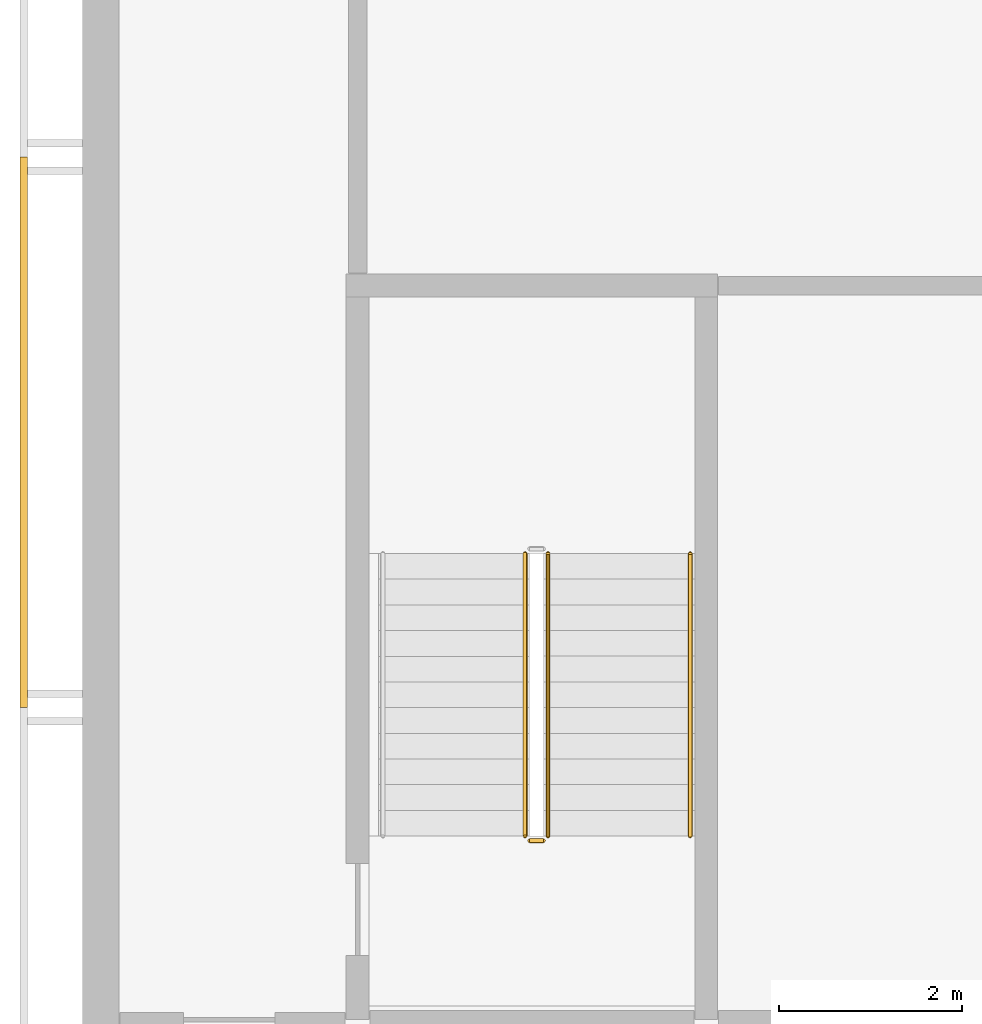
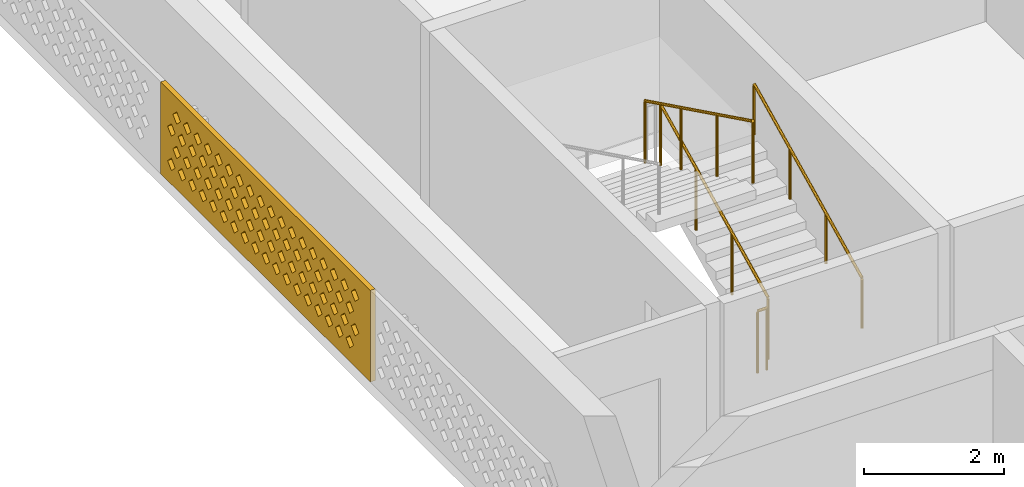
# One storey, part 8 of 16: 4 railings, 1 covering.
"""IFC4 building model written with IfcOpenShell, lengths in metres."""

from ifc_helpers import new_model, si_unit, direction, frame, origin, origin_2d, place, context, subcontext, project, spatial, polyline, circle, outline, extrude, source, transform, mapped, material, material_profile, profile_set, type_object, element, save


model = new_model("IFC4")

# Units and contexts
model_context = context("Model", 3, precision=1e-05, world=origin(), true_north=direction((0.0, 1.0)))
body_context = subcontext(model_context, "Body", "Model", "MODEL_VIEW")
ifc_project = project(units=[si_unit("LENGTHUNIT", "METRE"), si_unit("AREAUNIT", "SQUARE_METRE"), si_unit("VOLUMEUNIT", "CUBIC_METRE"), si_unit("PLANEANGLEUNIT", "RADIAN"), si_unit("MASSUNIT", "GRAM", prefix="KILO")], contexts=[model_context])

# Site, building, storey
site_placement = place(None, origin())
site = spatial("IfcSite", under=ifc_project, at=site_placement, CompositionType="ELEMENT")
building_placement = place(site_placement, origin())
building = spatial("IfcBuilding", under=site, at=building_placement, Name="Poui Terraces", CompositionType="ELEMENT")
storey_placement = place(building_placement, frame((0.0, 0.0, 282.300048828125)))
storey = spatial("IfcBuildingStorey", under=building, at=storey_placement, Name="L78 CROWN", CompositionType="ELEMENT", Elevation=282.300048828125)

# Railings
ifc_material_1 = material(Name="Galvanised steel balustrade", Category="steel")
railing_type_1 = type_object("IfcRailingType", Name="STAIR GUARD 1100", PredefinedType="GUARDRAIL", material=ifc_material_1)
railing_1_placement = place(storey_placement, frame((22.875, 16.60009765625, 0.137451171875)))
element("IfcRailing", 1, at=railing_1_placement, inside=storey, type_object=railing_type_1, Name="L78 CROWN ST-W stair guard 1", PredefinedType="GUARDRAIL", context=body_context, shape_type="SweptSolid", body=[
    extrude(circle(Radius=0.02392578125, at=origin_2d()), frame((0.0, 0.0, 1.076171875), z_axis=(0.0, 0.897606190399, 0.440798283751), x_axis=(-1.0, 0.0, 0.0)), (0.0, 0.0, 1.0), 3.43115234375),
    extrude(circle(Radius=0.02099609375, at=origin_2d()), origin(), (0.0, 0.0, 1.0), 1.052001953125),
    extrude(circle(Radius=0.02099609375, at=origin_2d()), frame((0.0, 1.026611328125, 0.504150390625)), (0.0, 0.0, 1.0), 1.052001953125),
    extrude(circle(Radius=0.02099609375, at=origin_2d()), frame((0.0, 2.05322265625, 1.00830078125)), (0.0, 0.0, 1.0), 1.052001953125),
    extrude(circle(Radius=0.02099609375, at=origin_2d()), frame((0.0, 3.079833984375, 1.512451171875)), (0.0, 0.0, 1.0), 1.052001953125),
])
railing_2_placement = place(storey_placement, frame((22.625, 19.679931640625, 1.787353515625)))
element("IfcRailing", 2, at=railing_2_placement, inside=storey, type_object=railing_type_1, Name="L78 CROWN ST-W stair guard 3", PredefinedType="GUARDRAIL", context=body_context, shape_type="SweptSolid", body=[
    extrude(circle(Radius=0.02392578125, at=origin_2d()), frame((0.0, 0.0, 1.076171875), z_axis=(0.0, -0.897578036475, 0.440855609512), x_axis=(1.0, 0.0, 0.0)), (0.0, 0.0, 1.0), 3.43115234375),
    extrude(circle(Radius=0.02099609375, at=origin_2d()), origin(), (0.0, 0.0, 1.0), 1.052001953125),
    extrude(circle(Radius=0.02099609375, at=origin_2d()), frame((0.0, -1.026611328125, 0.504150390625)), (0.0, 0.0, 1.0), 1.052001953125),
    extrude(circle(Radius=0.02099609375, at=origin_2d()), frame((0.0, -2.05322265625, 1.008544921875)), (0.0, 0.0, 1.0), 1.052001953125),
    extrude(circle(Radius=0.02099609375, at=origin_2d()), frame((0.0, -3.079833984375, 1.5126953125)), (0.0, 0.0, 1.0), 1.052001953125),
])
railing_3_placement = place(storey_placement, frame((22.824951171875, 16.550048828125, 0.0)))
element("IfcRailing", 3, at=railing_3_placement, inside=storey, type_object=railing_type_1, Name="L78 CROWN ST-W stair guard 4", PredefinedType="GUARDRAIL", context=body_context, shape_type="SweptSolid", body=[
    extrude(circle(Radius=0.02392578125, at=origin_2d()), frame((0.0, 0.0, 1.076171875), z_axis=(-1.0, 0.0, 0.0), x_axis=(0.0, -1.0, 0.0)), (0.0, 0.0, 1.0), 0.14990234375),
    extrude(circle(Radius=0.02099609375, at=origin_2d()), origin(), (0.0, 0.0, 1.0), 1.052001953125),
    extrude(circle(Radius=0.02099609375, at=origin_2d()), frame((-0.14990234375, 0.0, 0.0)), (0.0, 0.0, 1.0), 1.052001953125),
])
ifc_material_2 = material(Name="Stainless steel handrail", Category="steel")
railing_type_2 = type_object("IfcRailingType", Name="STAIR HANDRAIL 900", PredefinedType="HANDRAIL", material=ifc_material_2)
railing_4_placement = place(storey_placement, frame((24.425048828125, 16.60009765625, 0.137451171875)))
element("IfcRailing", 4, at=railing_4_placement, inside=storey, type_object=railing_type_2, Name="L78 CROWN ST-W stair handrail 1", PredefinedType="HANDRAIL", context=body_context, shape_type="SweptSolid", body=[
    extrude(circle(Radius=0.02392578125, at=origin_2d()), frame((0.0, 0.0, 0.8759765625), z_axis=(0.0, 0.897606190399, 0.440798283751), x_axis=(-1.0, 0.0, 0.0)), (0.0, 0.0, 1.0), 3.43115234375),
    extrude(circle(Radius=0.02099609375, at=origin_2d()), origin(), (0.0, 0.0, 1.0), 0.851806640625),
    extrude(circle(Radius=0.02099609375, at=origin_2d()), frame((0.0, 1.026611328125, 0.504150390625)), (0.0, 0.0, 1.0), 0.851806640625),
    extrude(circle(Radius=0.02099609375, at=origin_2d()), frame((0.0, 2.05322265625, 1.00830078125)), (0.0, 0.0, 1.0), 0.851806640625),
    extrude(circle(Radius=0.02099609375, at=origin_2d()), frame((0.0, 3.079833984375, 1.512451171875)), (0.0, 0.0, 1.0), 0.851806640625),
])

# Covering
ifc_material_3 = material(Name="Terracotta screen", Category="masonry")
ifc_material_profile = material_profile(ifc_material_3, outline(polyline([(-3.0, -0.800048828125), (3.0, -0.800048828125), (3.0, 0.800048828125), (-3.0, 0.800048828125), (-3.0, -0.800048828125)]), holes=[polyline([(-2.800048828125, -0.449951171875), (-2.68994140625, -0.56005859375), (-2.580078125, -0.449951171875), (-2.68994140625, -0.340087890625), (-2.800048828125, -0.449951171875)]), polyline([(-2.5, -0.449951171875), (-2.389892578125, -0.56005859375), (-2.280029296875, -0.449951171875), (-2.389892578125, -0.340087890625), (-2.5, -0.449951171875)]), polyline([(-2.199951171875, -0.449951171875), (-2.090087890625, -0.56005859375), (-1.97998046875, -0.449951171875), (-2.090087890625, -0.340087890625), (-2.199951171875, -0.449951171875)]), polyline([(-1.89990234375, -0.449951171875), (-1.7900390625, -0.56005859375), (-1.679931640625, -0.449951171875), (-1.7900390625, -0.340087890625), (-1.89990234375, -0.449951171875)]), polyline([(-1.60009765625, -0.449951171875), (-1.489990234375, -0.56005859375), (-1.3798828125, -0.449951171875), (-1.489990234375, -0.340087890625), (-1.60009765625, -0.449951171875)]), polyline([(-1.300048828125, -0.449951171875), (-1.18994140625, -0.56005859375), (-1.080078125, -0.449951171875), (-1.18994140625, -0.340087890625), (-1.300048828125, -0.449951171875)]), polyline([(-1.0, -0.449951171875), (-0.889892578125, -0.56005859375), (-0.780029296875, -0.449951171875), (-0.889892578125, -0.340087890625), (-1.0, -0.449951171875)]), polyline([(-0.699951171875, -0.449951171875), (-0.590087890625, -0.56005859375), (-0.47998046875, -0.449951171875), (-0.590087890625, -0.340087890625), (-0.699951171875, -0.449951171875)]), polyline([(-0.39990234375, -0.449951171875), (-0.2900390625, -0.56005859375), (-0.179931640625, -0.449951171875), (-0.2900390625, -0.340087890625), (-0.39990234375, -0.449951171875)]), polyline([(-0.10009765625, -0.449951171875), (0.010009765625, -0.56005859375), (0.1201171875, -0.449951171875), (0.010009765625, -0.340087890625), (-0.10009765625, -0.449951171875)]), polyline([(0.199951171875, -0.449951171875), (0.31005859375, -0.56005859375), (0.419921875, -0.449951171875), (0.31005859375, -0.340087890625), (0.199951171875, -0.449951171875)]), polyline([(0.5, -0.449951171875), (0.610107421875, -0.56005859375), (0.719970703125, -0.449951171875), (0.610107421875, -0.340087890625), (0.5, -0.449951171875)]), polyline([(0.800048828125, -0.449951171875), (0.909912109375, -0.56005859375), (1.02001953125, -0.449951171875), (0.909912109375, -0.340087890625), (0.800048828125, -0.449951171875)]), polyline([(1.10009765625, -0.449951171875), (1.2099609375, -0.56005859375), (1.320068359375, -0.449951171875), (1.2099609375, -0.340087890625), (1.10009765625, -0.449951171875)]), polyline([(1.39990234375, -0.449951171875), (1.510009765625, -0.56005859375), (1.6201171875, -0.449951171875), (1.510009765625, -0.340087890625), (1.39990234375, -0.449951171875)]), polyline([(1.699951171875, -0.449951171875), (1.81005859375, -0.56005859375), (1.919921875, -0.449951171875), (1.81005859375, -0.340087890625), (1.699951171875, -0.449951171875)]), polyline([(2.0, -0.449951171875), (2.110107421875, -0.56005859375), (2.219970703125, -0.449951171875), (2.110107421875, -0.340087890625), (2.0, -0.449951171875)]), polyline([(2.300048828125, -0.449951171875), (2.409912109375, -0.56005859375), (2.52001953125, -0.449951171875), (2.409912109375, -0.340087890625), (2.300048828125, -0.449951171875)]), polyline([(-2.64990234375, -0.14990234375), (-2.5400390625, -0.260009765625), (-2.429931640625, -0.14990234375), (-2.5400390625, -0.0400390625), (-2.64990234375, -0.14990234375)]), polyline([(-2.35009765625, -0.14990234375), (-2.239990234375, -0.260009765625), (-2.1298828125, -0.14990234375), (-2.239990234375, -0.0400390625), (-2.35009765625, -0.14990234375)]), polyline([(-2.050048828125, -0.14990234375), (-1.93994140625, -0.260009765625), (-1.830078125, -0.14990234375), (-1.93994140625, -0.0400390625), (-2.050048828125, -0.14990234375)]), polyline([(-1.75, -0.14990234375), (-1.639892578125, -0.260009765625), (-1.530029296875, -0.14990234375), (-1.639892578125, -0.0400390625), (-1.75, -0.14990234375)]), polyline([(-1.449951171875, -0.14990234375), (-1.340087890625, -0.260009765625), (-1.22998046875, -0.14990234375), (-1.340087890625, -0.0400390625), (-1.449951171875, -0.14990234375)]), polyline([(-1.14990234375, -0.14990234375), (-1.0400390625, -0.260009765625), (-0.929931640625, -0.14990234375), (-1.0400390625, -0.0400390625), (-1.14990234375, -0.14990234375)]), polyline([(-0.85009765625, -0.14990234375), (-0.739990234375, -0.260009765625), (-0.6298828125, -0.14990234375), (-0.739990234375, -0.0400390625), (-0.85009765625, -0.14990234375)]), polyline([(-0.550048828125, -0.14990234375), (-0.43994140625, -0.260009765625), (-0.330078125, -0.14990234375), (-0.43994140625, -0.0400390625), (-0.550048828125, -0.14990234375)]), polyline([(-0.25, -0.14990234375), (-0.139892578125, -0.260009765625), (-0.030029296875, -0.14990234375), (-0.139892578125, -0.0400390625), (-0.25, -0.14990234375)]), polyline([(0.050048828125, -0.14990234375), (0.159912109375, -0.260009765625), (0.27001953125, -0.14990234375), (0.159912109375, -0.0400390625), (0.050048828125, -0.14990234375)]), polyline([(0.35009765625, -0.14990234375), (0.4599609375, -0.260009765625), (0.570068359375, -0.14990234375), (0.4599609375, -0.0400390625), (0.35009765625, -0.14990234375)]), polyline([(0.64990234375, -0.14990234375), (0.760009765625, -0.260009765625), (0.8701171875, -0.14990234375), (0.760009765625, -0.0400390625), (0.64990234375, -0.14990234375)]), polyline([(0.949951171875, -0.14990234375), (1.06005859375, -0.260009765625), (1.169921875, -0.14990234375), (1.06005859375, -0.0400390625), (0.949951171875, -0.14990234375)]), polyline([(1.25, -0.14990234375), (1.360107421875, -0.260009765625), (1.469970703125, -0.14990234375), (1.360107421875, -0.0400390625), (1.25, -0.14990234375)]), polyline([(1.550048828125, -0.14990234375), (1.659912109375, -0.260009765625), (1.77001953125, -0.14990234375), (1.659912109375, -0.0400390625), (1.550048828125, -0.14990234375)]), polyline([(1.85009765625, -0.14990234375), (1.9599609375, -0.260009765625), (2.070068359375, -0.14990234375), (1.9599609375, -0.0400390625), (1.85009765625, -0.14990234375)]), polyline([(2.14990234375, -0.14990234375), (2.260009765625, -0.260009765625), (2.3701171875, -0.14990234375), (2.260009765625, -0.0400390625), (2.14990234375, -0.14990234375)]), polyline([(2.449951171875, -0.14990234375), (2.56005859375, -0.260009765625), (2.669921875, -0.14990234375), (2.56005859375, -0.0400390625), (2.449951171875, -0.14990234375)]), polyline([(-2.800048828125, 0.14990234375), (-2.68994140625, 0.0400390625), (-2.580078125, 0.14990234375), (-2.68994140625, 0.260009765625), (-2.800048828125, 0.14990234375)]), polyline([(-2.5, 0.14990234375), (-2.389892578125, 0.0400390625), (-2.280029296875, 0.14990234375), (-2.389892578125, 0.260009765625), (-2.5, 0.14990234375)]), polyline([(-2.199951171875, 0.14990234375), (-2.090087890625, 0.0400390625), (-1.97998046875, 0.14990234375), (-2.090087890625, 0.260009765625), (-2.199951171875, 0.14990234375)]), polyline([(-1.89990234375, 0.14990234375), (-1.7900390625, 0.0400390625), (-1.679931640625, 0.14990234375), (-1.7900390625, 0.260009765625), (-1.89990234375, 0.14990234375)]), polyline([(-1.60009765625, 0.14990234375), (-1.489990234375, 0.0400390625), (-1.3798828125, 0.14990234375), (-1.489990234375, 0.260009765625), (-1.60009765625, 0.14990234375)]), polyline([(-1.300048828125, 0.14990234375), (-1.18994140625, 0.0400390625), (-1.080078125, 0.14990234375), (-1.18994140625, 0.260009765625), (-1.300048828125, 0.14990234375)]), polyline([(-1.0, 0.14990234375), (-0.889892578125, 0.0400390625), (-0.780029296875, 0.14990234375), (-0.889892578125, 0.260009765625), (-1.0, 0.14990234375)]), polyline([(-0.699951171875, 0.14990234375), (-0.590087890625, 0.0400390625), (-0.47998046875, 0.14990234375), (-0.590087890625, 0.260009765625), (-0.699951171875, 0.14990234375)]), polyline([(-0.39990234375, 0.14990234375), (-0.2900390625, 0.0400390625), (-0.179931640625, 0.14990234375), (-0.2900390625, 0.260009765625), (-0.39990234375, 0.14990234375)]), polyline([(-0.10009765625, 0.14990234375), (0.010009765625, 0.0400390625), (0.1201171875, 0.14990234375), (0.010009765625, 0.260009765625), (-0.10009765625, 0.14990234375)]), polyline([(0.199951171875, 0.14990234375), (0.31005859375, 0.0400390625), (0.419921875, 0.14990234375), (0.31005859375, 0.260009765625), (0.199951171875, 0.14990234375)]), polyline([(0.5, 0.14990234375), (0.610107421875, 0.0400390625), (0.719970703125, 0.14990234375), (0.610107421875, 0.260009765625), (0.5, 0.14990234375)]), polyline([(0.800048828125, 0.14990234375), (0.909912109375, 0.0400390625), (1.02001953125, 0.14990234375), (0.909912109375, 0.260009765625), (0.800048828125, 0.14990234375)]), polyline([(1.10009765625, 0.14990234375), (1.2099609375, 0.0400390625), (1.320068359375, 0.14990234375), (1.2099609375, 0.260009765625), (1.10009765625, 0.14990234375)]), polyline([(1.39990234375, 0.14990234375), (1.510009765625, 0.0400390625), (1.6201171875, 0.14990234375), (1.510009765625, 0.260009765625), (1.39990234375, 0.14990234375)]), polyline([(1.699951171875, 0.14990234375), (1.81005859375, 0.0400390625), (1.919921875, 0.14990234375), (1.81005859375, 0.260009765625), (1.699951171875, 0.14990234375)]), polyline([(2.0, 0.14990234375), (2.110107421875, 0.0400390625), (2.219970703125, 0.14990234375), (2.110107421875, 0.260009765625), (2.0, 0.14990234375)]), polyline([(2.300048828125, 0.14990234375), (2.409912109375, 0.0400390625), (2.52001953125, 0.14990234375), (2.409912109375, 0.260009765625), (2.300048828125, 0.14990234375)]), polyline([(-2.64990234375, 0.449951171875), (-2.5400390625, 0.340087890625), (-2.429931640625, 0.449951171875), (-2.5400390625, 0.56005859375), (-2.64990234375, 0.449951171875)]), polyline([(-2.35009765625, 0.449951171875), (-2.239990234375, 0.340087890625), (-2.1298828125, 0.449951171875), (-2.239990234375, 0.56005859375), (-2.35009765625, 0.449951171875)]), polyline([(-2.050048828125, 0.449951171875), (-1.93994140625, 0.340087890625), (-1.830078125, 0.449951171875), (-1.93994140625, 0.56005859375), (-2.050048828125, 0.449951171875)]), polyline([(-1.75, 0.449951171875), (-1.639892578125, 0.340087890625), (-1.530029296875, 0.449951171875), (-1.639892578125, 0.56005859375), (-1.75, 0.449951171875)]), polyline([(-1.449951171875, 0.449951171875), (-1.340087890625, 0.340087890625), (-1.22998046875, 0.449951171875), (-1.340087890625, 0.56005859375), (-1.449951171875, 0.449951171875)]), polyline([(-1.14990234375, 0.449951171875), (-1.0400390625, 0.340087890625), (-0.929931640625, 0.449951171875), (-1.0400390625, 0.56005859375), (-1.14990234375, 0.449951171875)]), polyline([(-0.85009765625, 0.449951171875), (-0.739990234375, 0.340087890625), (-0.6298828125, 0.449951171875), (-0.739990234375, 0.56005859375), (-0.85009765625, 0.449951171875)]), polyline([(-0.550048828125, 0.449951171875), (-0.43994140625, 0.340087890625), (-0.330078125, 0.449951171875), (-0.43994140625, 0.56005859375), (-0.550048828125, 0.449951171875)]), polyline([(-0.25, 0.449951171875), (-0.139892578125, 0.340087890625), (-0.030029296875, 0.449951171875), (-0.139892578125, 0.56005859375), (-0.25, 0.449951171875)]), polyline([(0.050048828125, 0.449951171875), (0.159912109375, 0.340087890625), (0.27001953125, 0.449951171875), (0.159912109375, 0.56005859375), (0.050048828125, 0.449951171875)]), polyline([(0.35009765625, 0.449951171875), (0.4599609375, 0.340087890625), (0.570068359375, 0.449951171875), (0.4599609375, 0.56005859375), (0.35009765625, 0.449951171875)]), polyline([(0.64990234375, 0.449951171875), (0.760009765625, 0.340087890625), (0.8701171875, 0.449951171875), (0.760009765625, 0.56005859375), (0.64990234375, 0.449951171875)]), polyline([(0.949951171875, 0.449951171875), (1.06005859375, 0.340087890625), (1.169921875, 0.449951171875), (1.06005859375, 0.56005859375), (0.949951171875, 0.449951171875)]), polyline([(1.25, 0.449951171875), (1.360107421875, 0.340087890625), (1.469970703125, 0.449951171875), (1.360107421875, 0.56005859375), (1.25, 0.449951171875)]), polyline([(1.550048828125, 0.449951171875), (1.659912109375, 0.340087890625), (1.77001953125, 0.449951171875), (1.659912109375, 0.56005859375), (1.550048828125, 0.449951171875)]), polyline([(1.85009765625, 0.449951171875), (1.9599609375, 0.340087890625), (2.070068359375, 0.449951171875), (1.9599609375, 0.56005859375), (1.85009765625, 0.449951171875)]), polyline([(2.14990234375, 0.449951171875), (2.260009765625, 0.340087890625), (2.3701171875, 0.449951171875), (2.260009765625, 0.56005859375), (2.14990234375, 0.449951171875)]), polyline([(2.449951171875, 0.449951171875), (2.56005859375, 0.340087890625), (2.669921875, 0.449951171875), (2.56005859375, 0.56005859375), (2.449951171875, 0.449951171875)])]), Name="TERRACOTTA SOLAR SCREEN 6000X1600")
ifc_profile_set = profile_set([ifc_material_profile], Name="Terracotta screen")
covering_type = type_object("IfcCoveringType", Name="TERRACOTTA SOLAR SCREEN 6000X1600", PredefinedType="CLADDING", material=ifc_profile_set)
shared_shape = source(origin(), body_context, "Body", "SweptSolid", [
    extrude(outline(polyline([(-3.0, -0.800048828125), (3.0, -0.800048828125), (3.0, 0.800048828125), (-3.0, 0.800048828125), (-3.0, -0.800048828125)]), holes=[polyline([(-2.800048828125, -0.449951171875), (-2.68994140625, -0.56005859375), (-2.580078125, -0.449951171875), (-2.68994140625, -0.340087890625), (-2.800048828125, -0.449951171875)]), polyline([(-2.5, -0.449951171875), (-2.389892578125, -0.56005859375), (-2.280029296875, -0.449951171875), (-2.389892578125, -0.340087890625), (-2.5, -0.449951171875)]), polyline([(-2.199951171875, -0.449951171875), (-2.090087890625, -0.56005859375), (-1.97998046875, -0.449951171875), (-2.090087890625, -0.340087890625), (-2.199951171875, -0.449951171875)]), polyline([(-1.89990234375, -0.449951171875), (-1.7900390625, -0.56005859375), (-1.679931640625, -0.449951171875), (-1.7900390625, -0.340087890625), (-1.89990234375, -0.449951171875)]), polyline([(-1.60009765625, -0.449951171875), (-1.489990234375, -0.56005859375), (-1.3798828125, -0.449951171875), (-1.489990234375, -0.340087890625), (-1.60009765625, -0.449951171875)]), polyline([(-1.300048828125, -0.449951171875), (-1.18994140625, -0.56005859375), (-1.080078125, -0.449951171875), (-1.18994140625, -0.340087890625), (-1.300048828125, -0.449951171875)]), polyline([(-1.0, -0.449951171875), (-0.889892578125, -0.56005859375), (-0.780029296875, -0.449951171875), (-0.889892578125, -0.340087890625), (-1.0, -0.449951171875)]), polyline([(-0.699951171875, -0.449951171875), (-0.590087890625, -0.56005859375), (-0.47998046875, -0.449951171875), (-0.590087890625, -0.340087890625), (-0.699951171875, -0.449951171875)]), polyline([(-0.39990234375, -0.449951171875), (-0.2900390625, -0.56005859375), (-0.179931640625, -0.449951171875), (-0.2900390625, -0.340087890625), (-0.39990234375, -0.449951171875)]), polyline([(-0.10009765625, -0.449951171875), (0.010009765625, -0.56005859375), (0.1201171875, -0.449951171875), (0.010009765625, -0.340087890625), (-0.10009765625, -0.449951171875)]), polyline([(0.199951171875, -0.449951171875), (0.31005859375, -0.56005859375), (0.419921875, -0.449951171875), (0.31005859375, -0.340087890625), (0.199951171875, -0.449951171875)]), polyline([(0.5, -0.449951171875), (0.610107421875, -0.56005859375), (0.719970703125, -0.449951171875), (0.610107421875, -0.340087890625), (0.5, -0.449951171875)]), polyline([(0.800048828125, -0.449951171875), (0.909912109375, -0.56005859375), (1.02001953125, -0.449951171875), (0.909912109375, -0.340087890625), (0.800048828125, -0.449951171875)]), polyline([(1.10009765625, -0.449951171875), (1.2099609375, -0.56005859375), (1.320068359375, -0.449951171875), (1.2099609375, -0.340087890625), (1.10009765625, -0.449951171875)]), polyline([(1.39990234375, -0.449951171875), (1.510009765625, -0.56005859375), (1.6201171875, -0.449951171875), (1.510009765625, -0.340087890625), (1.39990234375, -0.449951171875)]), polyline([(1.699951171875, -0.449951171875), (1.81005859375, -0.56005859375), (1.919921875, -0.449951171875), (1.81005859375, -0.340087890625), (1.699951171875, -0.449951171875)]), polyline([(2.0, -0.449951171875), (2.110107421875, -0.56005859375), (2.219970703125, -0.449951171875), (2.110107421875, -0.340087890625), (2.0, -0.449951171875)]), polyline([(2.300048828125, -0.449951171875), (2.409912109375, -0.56005859375), (2.52001953125, -0.449951171875), (2.409912109375, -0.340087890625), (2.300048828125, -0.449951171875)]), polyline([(-2.64990234375, -0.14990234375), (-2.5400390625, -0.260009765625), (-2.429931640625, -0.14990234375), (-2.5400390625, -0.0400390625), (-2.64990234375, -0.14990234375)]), polyline([(-2.35009765625, -0.14990234375), (-2.239990234375, -0.260009765625), (-2.1298828125, -0.14990234375), (-2.239990234375, -0.0400390625), (-2.35009765625, -0.14990234375)]), polyline([(-2.050048828125, -0.14990234375), (-1.93994140625, -0.260009765625), (-1.830078125, -0.14990234375), (-1.93994140625, -0.0400390625), (-2.050048828125, -0.14990234375)]), polyline([(-1.75, -0.14990234375), (-1.639892578125, -0.260009765625), (-1.530029296875, -0.14990234375), (-1.639892578125, -0.0400390625), (-1.75, -0.14990234375)]), polyline([(-1.449951171875, -0.14990234375), (-1.340087890625, -0.260009765625), (-1.22998046875, -0.14990234375), (-1.340087890625, -0.0400390625), (-1.449951171875, -0.14990234375)]), polyline([(-1.14990234375, -0.14990234375), (-1.0400390625, -0.260009765625), (-0.929931640625, -0.14990234375), (-1.0400390625, -0.0400390625), (-1.14990234375, -0.14990234375)]), polyline([(-0.85009765625, -0.14990234375), (-0.739990234375, -0.260009765625), (-0.6298828125, -0.14990234375), (-0.739990234375, -0.0400390625), (-0.85009765625, -0.14990234375)]), polyline([(-0.550048828125, -0.14990234375), (-0.43994140625, -0.260009765625), (-0.330078125, -0.14990234375), (-0.43994140625, -0.0400390625), (-0.550048828125, -0.14990234375)]), polyline([(-0.25, -0.14990234375), (-0.139892578125, -0.260009765625), (-0.030029296875, -0.14990234375), (-0.139892578125, -0.0400390625), (-0.25, -0.14990234375)]), polyline([(0.050048828125, -0.14990234375), (0.159912109375, -0.260009765625), (0.27001953125, -0.14990234375), (0.159912109375, -0.0400390625), (0.050048828125, -0.14990234375)]), polyline([(0.35009765625, -0.14990234375), (0.4599609375, -0.260009765625), (0.570068359375, -0.14990234375), (0.4599609375, -0.0400390625), (0.35009765625, -0.14990234375)]), polyline([(0.64990234375, -0.14990234375), (0.760009765625, -0.260009765625), (0.8701171875, -0.14990234375), (0.760009765625, -0.0400390625), (0.64990234375, -0.14990234375)]), polyline([(0.949951171875, -0.14990234375), (1.06005859375, -0.260009765625), (1.169921875, -0.14990234375), (1.06005859375, -0.0400390625), (0.949951171875, -0.14990234375)]), polyline([(1.25, -0.14990234375), (1.360107421875, -0.260009765625), (1.469970703125, -0.14990234375), (1.360107421875, -0.0400390625), (1.25, -0.14990234375)]), polyline([(1.550048828125, -0.14990234375), (1.659912109375, -0.260009765625), (1.77001953125, -0.14990234375), (1.659912109375, -0.0400390625), (1.550048828125, -0.14990234375)]), polyline([(1.85009765625, -0.14990234375), (1.9599609375, -0.260009765625), (2.070068359375, -0.14990234375), (1.9599609375, -0.0400390625), (1.85009765625, -0.14990234375)]), polyline([(2.14990234375, -0.14990234375), (2.260009765625, -0.260009765625), (2.3701171875, -0.14990234375), (2.260009765625, -0.0400390625), (2.14990234375, -0.14990234375)]), polyline([(2.449951171875, -0.14990234375), (2.56005859375, -0.260009765625), (2.669921875, -0.14990234375), (2.56005859375, -0.0400390625), (2.449951171875, -0.14990234375)]), polyline([(-2.800048828125, 0.14990234375), (-2.68994140625, 0.0400390625), (-2.580078125, 0.14990234375), (-2.68994140625, 0.260009765625), (-2.800048828125, 0.14990234375)]), polyline([(-2.5, 0.14990234375), (-2.389892578125, 0.0400390625), (-2.280029296875, 0.14990234375), (-2.389892578125, 0.260009765625), (-2.5, 0.14990234375)]), polyline([(-2.199951171875, 0.14990234375), (-2.090087890625, 0.0400390625), (-1.97998046875, 0.14990234375), (-2.090087890625, 0.260009765625), (-2.199951171875, 0.14990234375)]), polyline([(-1.89990234375, 0.14990234375), (-1.7900390625, 0.0400390625), (-1.679931640625, 0.14990234375), (-1.7900390625, 0.260009765625), (-1.89990234375, 0.14990234375)]), polyline([(-1.60009765625, 0.14990234375), (-1.489990234375, 0.0400390625), (-1.3798828125, 0.14990234375), (-1.489990234375, 0.260009765625), (-1.60009765625, 0.14990234375)]), polyline([(-1.300048828125, 0.14990234375), (-1.18994140625, 0.0400390625), (-1.080078125, 0.14990234375), (-1.18994140625, 0.260009765625), (-1.300048828125, 0.14990234375)]), polyline([(-1.0, 0.14990234375), (-0.889892578125, 0.0400390625), (-0.780029296875, 0.14990234375), (-0.889892578125, 0.260009765625), (-1.0, 0.14990234375)]), polyline([(-0.699951171875, 0.14990234375), (-0.590087890625, 0.0400390625), (-0.47998046875, 0.14990234375), (-0.590087890625, 0.260009765625), (-0.699951171875, 0.14990234375)]), polyline([(-0.39990234375, 0.14990234375), (-0.2900390625, 0.0400390625), (-0.179931640625, 0.14990234375), (-0.2900390625, 0.260009765625), (-0.39990234375, 0.14990234375)]), polyline([(-0.10009765625, 0.14990234375), (0.010009765625, 0.0400390625), (0.1201171875, 0.14990234375), (0.010009765625, 0.260009765625), (-0.10009765625, 0.14990234375)]), polyline([(0.199951171875, 0.14990234375), (0.31005859375, 0.0400390625), (0.419921875, 0.14990234375), (0.31005859375, 0.260009765625), (0.199951171875, 0.14990234375)]), polyline([(0.5, 0.14990234375), (0.610107421875, 0.0400390625), (0.719970703125, 0.14990234375), (0.610107421875, 0.260009765625), (0.5, 0.14990234375)]), polyline([(0.800048828125, 0.14990234375), (0.909912109375, 0.0400390625), (1.02001953125, 0.14990234375), (0.909912109375, 0.260009765625), (0.800048828125, 0.14990234375)]), polyline([(1.10009765625, 0.14990234375), (1.2099609375, 0.0400390625), (1.320068359375, 0.14990234375), (1.2099609375, 0.260009765625), (1.10009765625, 0.14990234375)]), polyline([(1.39990234375, 0.14990234375), (1.510009765625, 0.0400390625), (1.6201171875, 0.14990234375), (1.510009765625, 0.260009765625), (1.39990234375, 0.14990234375)]), polyline([(1.699951171875, 0.14990234375), (1.81005859375, 0.0400390625), (1.919921875, 0.14990234375), (1.81005859375, 0.260009765625), (1.699951171875, 0.14990234375)]), polyline([(2.0, 0.14990234375), (2.110107421875, 0.0400390625), (2.219970703125, 0.14990234375), (2.110107421875, 0.260009765625), (2.0, 0.14990234375)]), polyline([(2.300048828125, 0.14990234375), (2.409912109375, 0.0400390625), (2.52001953125, 0.14990234375), (2.409912109375, 0.260009765625), (2.300048828125, 0.14990234375)]), polyline([(-2.64990234375, 0.449951171875), (-2.5400390625, 0.340087890625), (-2.429931640625, 0.449951171875), (-2.5400390625, 0.56005859375), (-2.64990234375, 0.449951171875)]), polyline([(-2.35009765625, 0.449951171875), (-2.239990234375, 0.340087890625), (-2.1298828125, 0.449951171875), (-2.239990234375, 0.56005859375), (-2.35009765625, 0.449951171875)]), polyline([(-2.050048828125, 0.449951171875), (-1.93994140625, 0.340087890625), (-1.830078125, 0.449951171875), (-1.93994140625, 0.56005859375), (-2.050048828125, 0.449951171875)]), polyline([(-1.75, 0.449951171875), (-1.639892578125, 0.340087890625), (-1.530029296875, 0.449951171875), (-1.639892578125, 0.56005859375), (-1.75, 0.449951171875)]), polyline([(-1.449951171875, 0.449951171875), (-1.340087890625, 0.340087890625), (-1.22998046875, 0.449951171875), (-1.340087890625, 0.56005859375), (-1.449951171875, 0.449951171875)]), polyline([(-1.14990234375, 0.449951171875), (-1.0400390625, 0.340087890625), (-0.929931640625, 0.449951171875), (-1.0400390625, 0.56005859375), (-1.14990234375, 0.449951171875)]), polyline([(-0.85009765625, 0.449951171875), (-0.739990234375, 0.340087890625), (-0.6298828125, 0.449951171875), (-0.739990234375, 0.56005859375), (-0.85009765625, 0.449951171875)]), polyline([(-0.550048828125, 0.449951171875), (-0.43994140625, 0.340087890625), (-0.330078125, 0.449951171875), (-0.43994140625, 0.56005859375), (-0.550048828125, 0.449951171875)]), polyline([(-0.25, 0.449951171875), (-0.139892578125, 0.340087890625), (-0.030029296875, 0.449951171875), (-0.139892578125, 0.56005859375), (-0.25, 0.449951171875)]), polyline([(0.050048828125, 0.449951171875), (0.159912109375, 0.340087890625), (0.27001953125, 0.449951171875), (0.159912109375, 0.56005859375), (0.050048828125, 0.449951171875)]), polyline([(0.35009765625, 0.449951171875), (0.4599609375, 0.340087890625), (0.570068359375, 0.449951171875), (0.4599609375, 0.56005859375), (0.35009765625, 0.449951171875)]), polyline([(0.64990234375, 0.449951171875), (0.760009765625, 0.340087890625), (0.8701171875, 0.449951171875), (0.760009765625, 0.56005859375), (0.64990234375, 0.449951171875)]), polyline([(0.949951171875, 0.449951171875), (1.06005859375, 0.340087890625), (1.169921875, 0.449951171875), (1.06005859375, 0.56005859375), (0.949951171875, 0.449951171875)]), polyline([(1.25, 0.449951171875), (1.360107421875, 0.340087890625), (1.469970703125, 0.449951171875), (1.360107421875, 0.56005859375), (1.25, 0.449951171875)]), polyline([(1.550048828125, 0.449951171875), (1.659912109375, 0.340087890625), (1.77001953125, 0.449951171875), (1.659912109375, 0.56005859375), (1.550048828125, 0.449951171875)]), polyline([(1.85009765625, 0.449951171875), (1.9599609375, 0.340087890625), (2.070068359375, 0.449951171875), (1.9599609375, 0.56005859375), (1.85009765625, 0.449951171875)]), polyline([(2.14990234375, 0.449951171875), (2.260009765625, 0.340087890625), (2.3701171875, 0.449951171875), (2.260009765625, 0.56005859375), (2.14990234375, 0.449951171875)]), polyline([(2.449951171875, 0.449951171875), (2.56005859375, 0.340087890625), (2.669921875, 0.449951171875), (2.56005859375, 0.56005859375), (2.449951171875, 0.449951171875)])]), origin(), (0.0, 0.0, 1.0), 0.079833984375),
])
covering_placement = place(storey_placement, frame((17.199951171875, 21.0, 1.699951171875), z_axis=(-1.0, 0.0, 0.0), x_axis=(0.0, -1.0, 0.0)))
element("IfcCovering", 5, at=covering_placement, inside=storey, type_object=covering_type, Name="SOLAR SCREEN", PredefinedType="CLADDING", context=body_context, shape_type="MappedRepresentation", body=[
    mapped(shared_shape, transform((0.0, 0.0, 0.0))),
])

save(model, "model.ifc")
